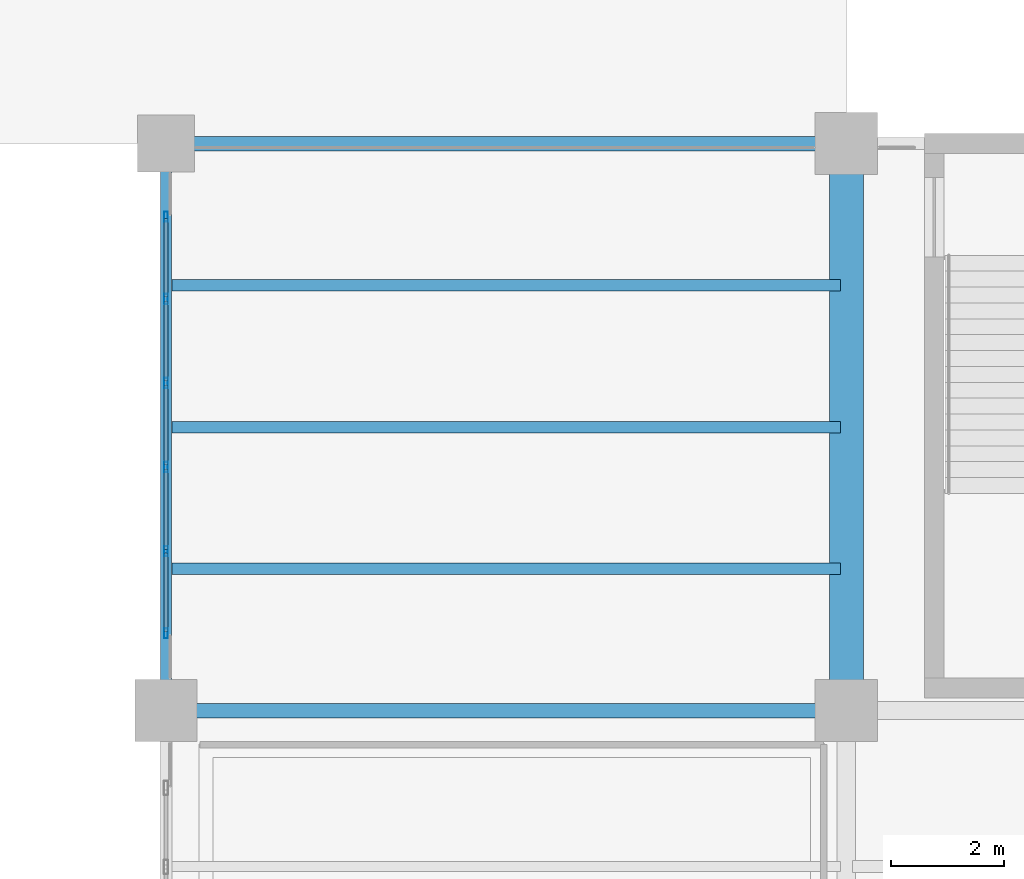
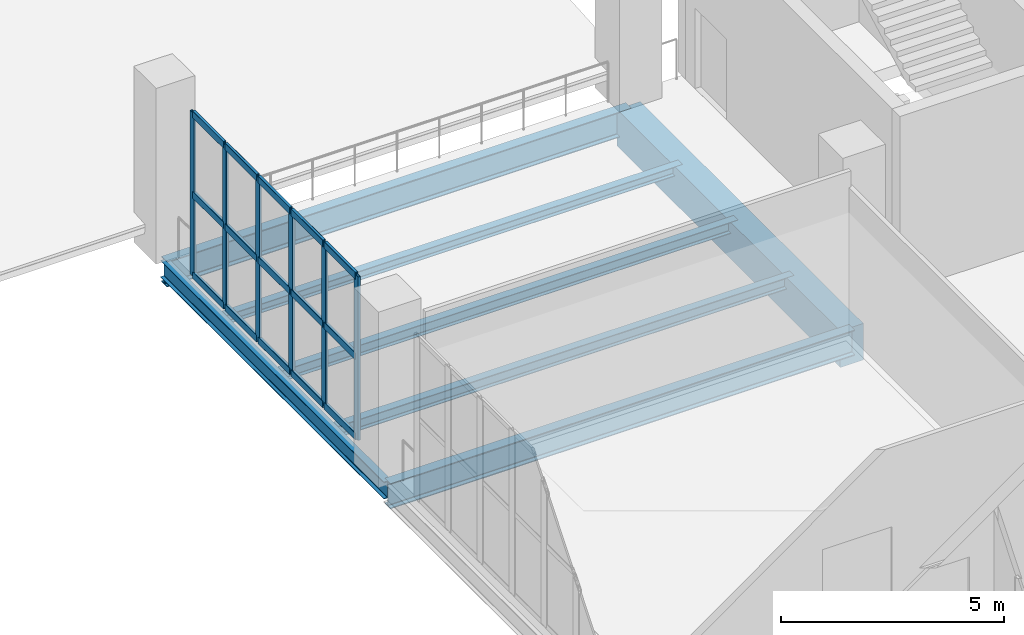
# One storey, part 50 of 136: 21 members, 7 beams, 1 element without a shape of its own.
"""IFC4 building model written with IfcOpenShell, lengths in metres."""

from ifc_helpers import new_model, si_unit, direction, frame, origin, origin_2d, place, context, subcontext, project, spatial, rectangle, hollow_rectangle, i_section, extrude, material, layer, layer_set, material_profile, profile_set, type_object, element, aggregate, save


model = new_model("IFC4")

# Units and contexts
model_context = context("Model", 3, precision=1e-05, world=origin(), true_north=direction((0.0, 1.0)))
body_context = subcontext(model_context, "Body", "Model", "MODEL_VIEW")
ifc_project = project(units=[si_unit("LENGTHUNIT", "METRE"), si_unit("AREAUNIT", "SQUARE_METRE"), si_unit("VOLUMEUNIT", "CUBIC_METRE"), si_unit("PLANEANGLEUNIT", "RADIAN"), si_unit("MASSUNIT", "GRAM", prefix="KILO")], contexts=[model_context])

# Site, building, storey
site_placement = place(None, origin())
site = spatial("IfcSite", under=ifc_project, at=site_placement, CompositionType="ELEMENT")
building_placement = place(site_placement, origin())
building = spatial("IfcBuilding", under=site, at=building_placement, Name="Brinegate Civic Arena", CompositionType="ELEMENT")
storey_placement = place(building_placement, frame((0.0, 0.0, 5.39990234375)))
storey = spatial("IfcBuildingStorey", under=building, at=storey_placement, Name="L01", CompositionType="ELEMENT", Elevation=5.39990234375)

# Curtain wall, members
ifc_material_1 = material(Name="Marine grade aluminium", Category="aluminium")
ifc_layer = layer(ifc_material_1, 0.199951171875, Name="Marine grade aluminium")
ifc_layer_set = layer_set([ifc_layer], Name="Marine grade aluminium")
curtain_wall_type = type_object("IfcCurtainWallType", Name="CW-BOWL-GLAZED-01", PredefinedType="USERDEFINED", material=ifc_layer_set)
curtain_wall_placement = place(storey_placement, origin())
curtain_wall = element("IfcCurtainWall", 1, at=curtain_wall_placement, inside=storey, type_object=curtain_wall_type, Name="Curtain Wall CWA-062", ObjectType="GLAZED CURTAIN WALL", PredefinedType="USERDEFINED")
ifc_material_profile_1 = material_profile(ifc_material_1, hollow_rectangle(XDim=0.06494140625, YDim=0.179931640625, WallThickness=0.0048828125, InnerFilletRadius=0.00390625, OuterFilletRadius=0.008056640625, at=origin_2d()), Name="MUL65X180")
ifc_profile_set_1 = profile_set([ifc_material_profile_1], Name="Marine grade aluminium")
member_type_1 = type_object("IfcMemberType", Name="CW-MULLION-65X180", PredefinedType="MULLION", material=ifc_profile_set_1)
member_1_placement = place(storey_placement, frame((48.0, 105.360595703125, 0.0), z_axis=(0.0, 0.0, 1.0), x_axis=(-1.0, 0.0, 0.0)))
member_1 = element("IfcMember", 2, at=member_1_placement, type_object=member_type_1, Name="CWA-062 mullion 1", PredefinedType="MULLION", context=body_context, shape_type="SweptSolid", body=[
    extrude(hollow_rectangle(XDim=0.06494140625, YDim=0.179931640625, WallThickness=0.0048828125, InnerFilletRadius=0.00390625, OuterFilletRadius=0.008056640625, at=origin_2d()), origin(), (0.0, 0.0, 1.0), 4.47021484375),
])
member_2_placement = place(storey_placement, frame((48.0, 106.81103515625, 0.0), z_axis=(0.0, 0.0, 1.0), x_axis=(-1.0, 0.0, 0.0)))
member_2 = element("IfcMember", 3, at=member_2_placement, type_object=member_type_1, Name="CWA-062 mullion 2", PredefinedType="MULLION", context=body_context, shape_type="SweptSolid", body=[
    extrude(hollow_rectangle(XDim=0.06494140625, YDim=0.179931640625, WallThickness=0.0048828125, InnerFilletRadius=0.00390625, OuterFilletRadius=0.008056640625, at=origin_2d()), origin(), (0.0, 0.0, 1.0), 4.47021484375),
])
member_3_placement = place(storey_placement, frame((48.0, 108.2939453125, 0.0), z_axis=(0.0, 0.0, 1.0), x_axis=(-1.0, 0.0, 0.0)))
member_3 = element("IfcMember", 4, at=member_3_placement, type_object=member_type_1, Name="CWA-062 mullion 3", PredefinedType="MULLION", context=body_context, shape_type="SweptSolid", body=[
    extrude(hollow_rectangle(XDim=0.06494140625, YDim=0.179931640625, WallThickness=0.0048828125, InnerFilletRadius=0.00390625, OuterFilletRadius=0.008056640625, at=origin_2d()), origin(), (0.0, 0.0, 1.0), 4.47021484375),
])
member_4_placement = place(storey_placement, frame((48.0, 109.777099609375, 0.0), z_axis=(0.0, 0.0, 1.0), x_axis=(-1.0, 0.0, 0.0)))
member_4 = element("IfcMember", 5, at=member_4_placement, type_object=member_type_1, Name="CWA-062 mullion 4", PredefinedType="MULLION", context=body_context, shape_type="SweptSolid", body=[
    extrude(hollow_rectangle(XDim=0.06494140625, YDim=0.179931640625, WallThickness=0.0048828125, InnerFilletRadius=0.00390625, OuterFilletRadius=0.008056640625, at=origin_2d()), origin(), (0.0, 0.0, 1.0), 4.47021484375),
])
member_5_placement = place(storey_placement, frame((48.0, 111.260009765625, 0.0), z_axis=(0.0, 0.0, 1.0), x_axis=(-1.0, 0.0, 0.0)))
member_5 = element("IfcMember", 6, at=member_5_placement, type_object=member_type_1, Name="CWA-062 mullion 5", PredefinedType="MULLION", context=body_context, shape_type="SweptSolid", body=[
    extrude(hollow_rectangle(XDim=0.06494140625, YDim=0.179931640625, WallThickness=0.0048828125, InnerFilletRadius=0.00390625, OuterFilletRadius=0.008056640625, at=origin_2d()), origin(), (0.0, 0.0, 1.0), 4.47021484375),
])
member_6_placement = place(storey_placement, frame((48.0, 112.71044921875, 0.0), z_axis=(0.0, 0.0, 1.0), x_axis=(-1.0, 0.0, 0.0)))
member_6 = element("IfcMember", 7, at=member_6_placement, type_object=member_type_1, Name="CWA-062 mullion 6", PredefinedType="MULLION", context=body_context, shape_type="SweptSolid", body=[
    extrude(hollow_rectangle(XDim=0.06494140625, YDim=0.179931640625, WallThickness=0.0048828125, InnerFilletRadius=0.00390625, OuterFilletRadius=0.008056640625, at=origin_2d()), origin(), (0.0, 0.0, 1.0), 4.47021484375),
])
ifc_material_profile_2 = material_profile(ifc_material_1, hollow_rectangle(XDim=0.074951171875, YDim=0.18994140625, WallThickness=0.006103515625, InnerFilletRadius=0.00390625, OuterFilletRadius=0.008056640625, at=origin_2d()), Name="TRN75X190")
ifc_profile_set_2 = profile_set([ifc_material_profile_2], Name="Marine grade aluminium")
member_type_2 = type_object("IfcMemberType", Name="CW-TRANSOM-75X190", PredefinedType="USERDEFINED", material=ifc_profile_set_2)
member_7_placement = place(storey_placement, frame((48.0, 105.39306640625, 0.03759765625), z_axis=(0.0, 1.0, 0.0), x_axis=(-1.0, 0.0, 0.0)))
member_7 = element("IfcMember", 8, at=member_7_placement, type_object=member_type_2, Name="CWA-062 transom 1.1", ObjectType="TRANSOM", PredefinedType="USERDEFINED", context=body_context, shape_type="SweptSolid", body=[
    extrude(hollow_rectangle(XDim=0.074951171875, YDim=0.18994140625, WallThickness=0.006103515625, InnerFilletRadius=0.00390625, OuterFilletRadius=0.008056640625, at=origin_2d()), origin(), (0.0, 0.0, 1.0), 1.385498046875),
])
member_8_placement = place(storey_placement, frame((48.0, 105.39306640625, 2.235107421875), z_axis=(0.0, 1.0, 0.0), x_axis=(-1.0, 0.0, 0.0)))
member_8 = element("IfcMember", 9, at=member_8_placement, type_object=member_type_2, Name="CWA-062 transom 1.2", ObjectType="TRANSOM", PredefinedType="USERDEFINED", context=body_context, shape_type="SweptSolid", body=[
    extrude(hollow_rectangle(XDim=0.074951171875, YDim=0.18994140625, WallThickness=0.006103515625, InnerFilletRadius=0.00390625, OuterFilletRadius=0.008056640625, at=origin_2d()), origin(), (0.0, 0.0, 1.0), 1.385498046875),
])
member_9_placement = place(storey_placement, frame((48.0, 105.39306640625, 4.4326171875), z_axis=(0.0, 1.0, 0.0), x_axis=(-1.0, 0.0, 0.0)))
member_9 = element("IfcMember", 10, at=member_9_placement, type_object=member_type_2, Name="CWA-062 transom 1.3", ObjectType="TRANSOM", PredefinedType="USERDEFINED", context=body_context, shape_type="SweptSolid", body=[
    extrude(hollow_rectangle(XDim=0.074951171875, YDim=0.18994140625, WallThickness=0.006103515625, InnerFilletRadius=0.00390625, OuterFilletRadius=0.008056640625, at=origin_2d()), origin(), (0.0, 0.0, 1.0), 1.385498046875),
])
member_10_placement = place(storey_placement, frame((48.0, 106.843505859375, 0.03759765625), z_axis=(0.0, 1.0, 0.0), x_axis=(-1.0, 0.0, 0.0)))
member_10 = element("IfcMember", 11, at=member_10_placement, type_object=member_type_2, Name="CWA-062 transom 2.1", ObjectType="TRANSOM", PredefinedType="USERDEFINED", context=body_context, shape_type="SweptSolid", body=[
    extrude(hollow_rectangle(XDim=0.074951171875, YDim=0.18994140625, WallThickness=0.006103515625, InnerFilletRadius=0.00390625, OuterFilletRadius=0.008056640625, at=origin_2d()), origin(), (0.0, 0.0, 1.0), 1.41796875),
])
member_11_placement = place(storey_placement, frame((48.0, 106.843505859375, 2.235107421875), z_axis=(0.0, 1.0, 0.0), x_axis=(-1.0, 0.0, 0.0)))
member_11 = element("IfcMember", 12, at=member_11_placement, type_object=member_type_2, Name="CWA-062 transom 2.2", ObjectType="TRANSOM", PredefinedType="USERDEFINED", context=body_context, shape_type="SweptSolid", body=[
    extrude(hollow_rectangle(XDim=0.074951171875, YDim=0.18994140625, WallThickness=0.006103515625, InnerFilletRadius=0.00390625, OuterFilletRadius=0.008056640625, at=origin_2d()), origin(), (0.0, 0.0, 1.0), 1.41796875),
])
member_12_placement = place(storey_placement, frame((48.0, 106.843505859375, 4.4326171875), z_axis=(0.0, 1.0, 0.0), x_axis=(-1.0, 0.0, 0.0)))
member_12 = element("IfcMember", 13, at=member_12_placement, type_object=member_type_2, Name="CWA-062 transom 2.3", ObjectType="TRANSOM", PredefinedType="USERDEFINED", context=body_context, shape_type="SweptSolid", body=[
    extrude(hollow_rectangle(XDim=0.074951171875, YDim=0.18994140625, WallThickness=0.006103515625, InnerFilletRadius=0.00390625, OuterFilletRadius=0.008056640625, at=origin_2d()), origin(), (0.0, 0.0, 1.0), 1.41796875),
])
member_13_placement = place(storey_placement, frame((48.0, 108.326416015625, 0.03759765625), z_axis=(0.0, 1.0, 0.0), x_axis=(-1.0, 0.0, 0.0)))
member_13 = element("IfcMember", 14, at=member_13_placement, type_object=member_type_2, Name="CWA-062 transom 3.1", ObjectType="TRANSOM", PredefinedType="USERDEFINED", context=body_context, shape_type="SweptSolid", body=[
    extrude(hollow_rectangle(XDim=0.074951171875, YDim=0.18994140625, WallThickness=0.006103515625, InnerFilletRadius=0.00390625, OuterFilletRadius=0.008056640625, at=origin_2d()), origin(), (0.0, 0.0, 1.0), 1.41796875),
])
member_14_placement = place(storey_placement, frame((48.0, 108.326416015625, 2.235107421875), z_axis=(0.0, 1.0, 0.0), x_axis=(-1.0, 0.0, 0.0)))
member_14 = element("IfcMember", 15, at=member_14_placement, type_object=member_type_2, Name="CWA-062 transom 3.2", ObjectType="TRANSOM", PredefinedType="USERDEFINED", context=body_context, shape_type="SweptSolid", body=[
    extrude(hollow_rectangle(XDim=0.074951171875, YDim=0.18994140625, WallThickness=0.006103515625, InnerFilletRadius=0.00390625, OuterFilletRadius=0.008056640625, at=origin_2d()), origin(), (0.0, 0.0, 1.0), 1.41796875),
])
member_15_placement = place(storey_placement, frame((48.0, 108.326416015625, 4.4326171875), z_axis=(0.0, 1.0, 0.0), x_axis=(-1.0, 0.0, 0.0)))
member_15 = element("IfcMember", 16, at=member_15_placement, type_object=member_type_2, Name="CWA-062 transom 3.3", ObjectType="TRANSOM", PredefinedType="USERDEFINED", context=body_context, shape_type="SweptSolid", body=[
    extrude(hollow_rectangle(XDim=0.074951171875, YDim=0.18994140625, WallThickness=0.006103515625, InnerFilletRadius=0.00390625, OuterFilletRadius=0.008056640625, at=origin_2d()), origin(), (0.0, 0.0, 1.0), 1.41796875),
])
member_16_placement = place(storey_placement, frame((48.0, 109.8095703125, 0.03759765625), z_axis=(0.0, 1.0, 0.0), x_axis=(-1.0, 0.0, 0.0)))
member_16 = element("IfcMember", 17, at=member_16_placement, type_object=member_type_2, Name="CWA-062 transom 4.1", ObjectType="TRANSOM", PredefinedType="USERDEFINED", context=body_context, shape_type="SweptSolid", body=[
    extrude(hollow_rectangle(XDim=0.074951171875, YDim=0.18994140625, WallThickness=0.006103515625, InnerFilletRadius=0.00390625, OuterFilletRadius=0.008056640625, at=origin_2d()), origin(), (0.0, 0.0, 1.0), 1.41796875),
])
member_17_placement = place(storey_placement, frame((48.0, 109.8095703125, 2.235107421875), z_axis=(0.0, 1.0, 0.0), x_axis=(-1.0, 0.0, 0.0)))
member_17 = element("IfcMember", 18, at=member_17_placement, type_object=member_type_2, Name="CWA-062 transom 4.2", ObjectType="TRANSOM", PredefinedType="USERDEFINED", context=body_context, shape_type="SweptSolid", body=[
    extrude(hollow_rectangle(XDim=0.074951171875, YDim=0.18994140625, WallThickness=0.006103515625, InnerFilletRadius=0.00390625, OuterFilletRadius=0.008056640625, at=origin_2d()), origin(), (0.0, 0.0, 1.0), 1.41796875),
])
member_18_placement = place(storey_placement, frame((48.0, 109.8095703125, 4.4326171875), z_axis=(0.0, 1.0, 0.0), x_axis=(-1.0, 0.0, 0.0)))
member_18 = element("IfcMember", 19, at=member_18_placement, type_object=member_type_2, Name="CWA-062 transom 4.3", ObjectType="TRANSOM", PredefinedType="USERDEFINED", context=body_context, shape_type="SweptSolid", body=[
    extrude(hollow_rectangle(XDim=0.074951171875, YDim=0.18994140625, WallThickness=0.006103515625, InnerFilletRadius=0.00390625, OuterFilletRadius=0.008056640625, at=origin_2d()), origin(), (0.0, 0.0, 1.0), 1.41796875),
])
member_19_placement = place(storey_placement, frame((48.0, 111.29248046875, 0.03759765625), z_axis=(0.0, 1.0, 0.0), x_axis=(-1.0, 0.0, 0.0)))
member_19 = element("IfcMember", 20, at=member_19_placement, type_object=member_type_2, Name="CWA-062 transom 5.1", ObjectType="TRANSOM", PredefinedType="USERDEFINED", context=body_context, shape_type="SweptSolid", body=[
    extrude(hollow_rectangle(XDim=0.074951171875, YDim=0.18994140625, WallThickness=0.006103515625, InnerFilletRadius=0.00390625, OuterFilletRadius=0.008056640625, at=origin_2d()), origin(), (0.0, 0.0, 1.0), 1.385498046875),
])
member_20_placement = place(storey_placement, frame((48.0, 111.29248046875, 2.235107421875), z_axis=(0.0, 1.0, 0.0), x_axis=(-1.0, 0.0, 0.0)))
member_20 = element("IfcMember", 21, at=member_20_placement, type_object=member_type_2, Name="CWA-062 transom 5.2", ObjectType="TRANSOM", PredefinedType="USERDEFINED", context=body_context, shape_type="SweptSolid", body=[
    extrude(hollow_rectangle(XDim=0.074951171875, YDim=0.18994140625, WallThickness=0.006103515625, InnerFilletRadius=0.00390625, OuterFilletRadius=0.008056640625, at=origin_2d()), origin(), (0.0, 0.0, 1.0), 1.385498046875),
])
member_21_placement = place(storey_placement, frame((48.0, 111.29248046875, 4.4326171875), z_axis=(0.0, 1.0, 0.0), x_axis=(-1.0, 0.0, 0.0)))
member_21 = element("IfcMember", 22, at=member_21_placement, type_object=member_type_2, Name="CWA-062 transom 5.3", ObjectType="TRANSOM", PredefinedType="USERDEFINED", context=body_context, shape_type="SweptSolid", body=[
    extrude(hollow_rectangle(XDim=0.074951171875, YDim=0.18994140625, WallThickness=0.006103515625, InnerFilletRadius=0.00390625, OuterFilletRadius=0.008056640625, at=origin_2d()), origin(), (0.0, 0.0, 1.0), 1.385498046875),
])
aggregate(curtain_wall, [member_1, member_2, member_3, member_4, member_5, member_6, member_7, member_8, member_9, member_10, member_11, member_12, member_13, member_14, member_15, member_16, member_17, member_18, member_19, member_20, member_21])

# Beams
ifc_material_2 = material(Name="Steel S355", Category="steel")
ifc_material_profile_3 = material_profile(ifc_material_2, i_section(OverallWidth=0.256103515625, OverallDepth=0.693115234375, WebThickness=0.014892578125, FlangeThickness=0.02392578125, FilletRadius=0.01806640625, at=origin_2d()), Name="W690X170")
ifc_profile_set_3 = profile_set([ifc_material_profile_3], Name="Steel S355")
beam_type_1 = type_object("IfcBeamType", Name="GIRDER-W690X170", PredefinedType="BEAM", material=ifc_profile_set_3)
beam_1_placement = place(storey_placement, frame((48.0, 104.0, -0.685791015625), z_axis=(1.0, 0.0, 0.0), x_axis=(0.0, 1.0, 0.0)))
element("IfcBeam", 23, at=beam_1_placement, inside=storey, type_object=beam_type_1, Name="Floor Girder BM-L01-GX-04-10", PredefinedType="BEAM", context=body_context, shape_type="SweptSolid", body=[
    extrude(i_section(OverallWidth=0.256103515625, OverallDepth=0.693115234375, WebThickness=0.014892578125, FlangeThickness=0.02392578125, FilletRadius=0.01806640625, at=origin_2d()), origin(), (0.0, 0.0, 1.0), 12.0),
])
ifc_material_profile_4 = material_profile(ifc_material_2, i_section(OverallWidth=0.202880859375, OverallDepth=0.251953125, WebThickness=0.008056640625, FlangeThickness=0.013916015625, FilletRadius=0.011962890625, at=origin_2d()), Name="W250X58")
ifc_profile_set_4 = profile_set([ifc_material_profile_4], Name="Steel S355")
beam_type_2 = type_object("IfcBeamType", Name="JOIST-W250X58", PredefinedType="JOIST", material=ifc_profile_set_4)
beam_2_placement = place(storey_placement, frame((48.10595703125, 111.5, -0.4658203125), z_axis=(1.0, 0.0, 0.0), x_axis=(0.0, 1.0, 0.0)))
element("IfcBeam", 24, at=beam_2_placement, inside=storey, type_object=beam_type_2, Name="Secondary Joist BM-L01-JX-04-10-3", PredefinedType="JOIST", context=body_context, shape_type="SweptSolid", body=[
    extrude(i_section(OverallWidth=0.202880859375, OverallDepth=0.251953125, WebThickness=0.008056640625, FlangeThickness=0.013916015625, FilletRadius=0.011962890625, at=origin_2d()), origin(), (0.0, 0.0, 1.0), 11.7880859375),
])
ifc_material_profile_5 = material_profile(ifc_material_2, i_section(OverallWidth=0.202880859375, OverallDepth=0.302978515625, WebThickness=0.008056640625, FlangeThickness=0.012939453125, FilletRadius=0.012939453125, at=origin_2d()), Name="W310X60")
ifc_profile_set_5 = profile_set([ifc_material_profile_5], Name="Steel S355")
beam_type_3 = type_object("IfcBeamType", Name="JOIST-W310X60", PredefinedType="JOIST", material=ifc_profile_set_5)
beam_3_placement = place(storey_placement, frame((48.10595703125, 109.0, -0.490966796875), z_axis=(1.0, 0.0, 0.0), x_axis=(0.0, 1.0, 0.0)))
element("IfcBeam", 25, at=beam_3_placement, inside=storey, type_object=beam_type_3, Name="Secondary Joist BM-L01-JX-04-10-2", PredefinedType="JOIST", context=body_context, shape_type="SweptSolid", body=[
    extrude(i_section(OverallWidth=0.202880859375, OverallDepth=0.302978515625, WebThickness=0.008056640625, FlangeThickness=0.012939453125, FilletRadius=0.012939453125, at=origin_2d()), origin(), (0.0, 0.0, 1.0), 11.7880859375),
])
ifc_material_profile_6 = material_profile(ifc_material_2, i_section(OverallWidth=0.205078125, OverallDepth=0.31005859375, WebThickness=0.009033203125, FlangeThickness=0.01611328125, FilletRadius=0.012939453125, at=origin_2d()), Name="W310X74")
ifc_profile_set_6 = profile_set([ifc_material_profile_6], Name="Steel S355")
beam_type_4 = type_object("IfcBeamType", Name="JOIST-W310X74", PredefinedType="JOIST", material=ifc_profile_set_6)
beam_4_placement = place(storey_placement, frame((48.10595703125, 106.5, -0.494873046875), z_axis=(1.0, 0.0, 0.0), x_axis=(0.0, 1.0, 0.0)))
element("IfcBeam", 26, at=beam_4_placement, inside=storey, type_object=beam_type_4, Name="Secondary Joist BM-L01-JX-04-10-1", PredefinedType="JOIST", context=body_context, shape_type="SweptSolid", body=[
    extrude(i_section(OverallWidth=0.205078125, OverallDepth=0.31005859375, WebThickness=0.009033203125, FlangeThickness=0.01611328125, FilletRadius=0.012939453125, at=origin_2d()), origin(), (0.0, 0.0, 1.0), 11.7880859375),
])
ifc_material_3 = material(Name="Concrete C50/60", Category="concrete")
ifc_material_profile_7 = material_profile(ifc_material_3, rectangle(XDim=0.60009765625, YDim=1.0, at=origin_2d()), Name="RCB600X1000")
ifc_profile_set_7 = profile_set([ifc_material_profile_7], Name="Concrete C50/60")
beam_type_5 = type_object("IfcBeamType", Name="RCG-600X1000", PredefinedType="BEAM", material=ifc_profile_set_7)
beam_5_placement = place(storey_placement, frame((60.0, 104.0, -0.83984375), z_axis=(0.0, 1.0, 0.0), x_axis=(-1.0, 0.0, 0.0)))
element("IfcBeam", 27, at=beam_5_placement, inside=storey, type_object=beam_type_5, Name="Floor Girder BM-L01-GY-05-10", PredefinedType="BEAM", context=body_context, shape_type="SweptSolid", body=[
    extrude(rectangle(XDim=0.60009765625, YDim=1.0, at=origin_2d()), origin(), (0.0, 0.0, 1.0), 10.0),
])
ifc_material_profile_8 = material_profile(ifc_material_2, i_section(OverallWidth=0.193115234375, OverallDepth=0.466064453125, WebThickness=0.010986328125, FlangeThickness=0.01904296875, FilletRadius=0.014892578125, at=origin_2d()), Name="W460X97")
ifc_profile_set_8 = profile_set([ifc_material_profile_8], Name="Steel S355")
beam_type_6 = type_object("IfcBeamType", Name="SPANDREL-W460X97", PredefinedType="SPANDREL", material=ifc_profile_set_8)
beam_6_placement = place(storey_placement, frame((48.0, 104.0, -0.572998046875), z_axis=(0.0, 1.0, 0.0), x_axis=(-1.0, 0.0, 0.0)))
element("IfcBeam", 28, at=beam_6_placement, inside=storey, type_object=beam_type_6, Name="Floor Girder BM-L01-GY-04-10", PredefinedType="SPANDREL", context=body_context, shape_type="SweptSolid", body=[
    extrude(i_section(OverallWidth=0.193115234375, OverallDepth=0.466064453125, WebThickness=0.010986328125, FlangeThickness=0.01904296875, FilletRadius=0.014892578125, at=origin_2d()), origin(), (0.0, 0.0, 1.0), 10.0),
])
ifc_material_profile_9 = material_profile(ifc_material_2, i_section(OverallWidth=0.256103515625, OverallDepth=0.693115234375, WebThickness=0.014892578125, FlangeThickness=0.02392578125, FilletRadius=0.01806640625, at=origin_2d()), Name="W690X170")
ifc_profile_set_9 = profile_set([ifc_material_profile_9], Name="Steel S355")
beam_type_7 = type_object("IfcBeamType", Name="SPANDREL-W690X170", PredefinedType="SPANDREL", material=ifc_profile_set_9)
beam_7_placement = place(storey_placement, frame((48.0, 114.0, -0.685791015625), z_axis=(1.0, 0.0, 0.0), x_axis=(0.0, 1.0, 0.0)))
element("IfcBeam", 29, at=beam_7_placement, inside=storey, type_object=beam_type_7, Name="Floor Girder BM-L01-GX-04-11", PredefinedType="SPANDREL", context=body_context, shape_type="SweptSolid", body=[
    extrude(i_section(OverallWidth=0.256103515625, OverallDepth=0.693115234375, WebThickness=0.014892578125, FlangeThickness=0.02392578125, FilletRadius=0.01806640625, at=origin_2d()), origin(), (0.0, 0.0, 1.0), 12.0),
])

save(model, "model.ifc")
